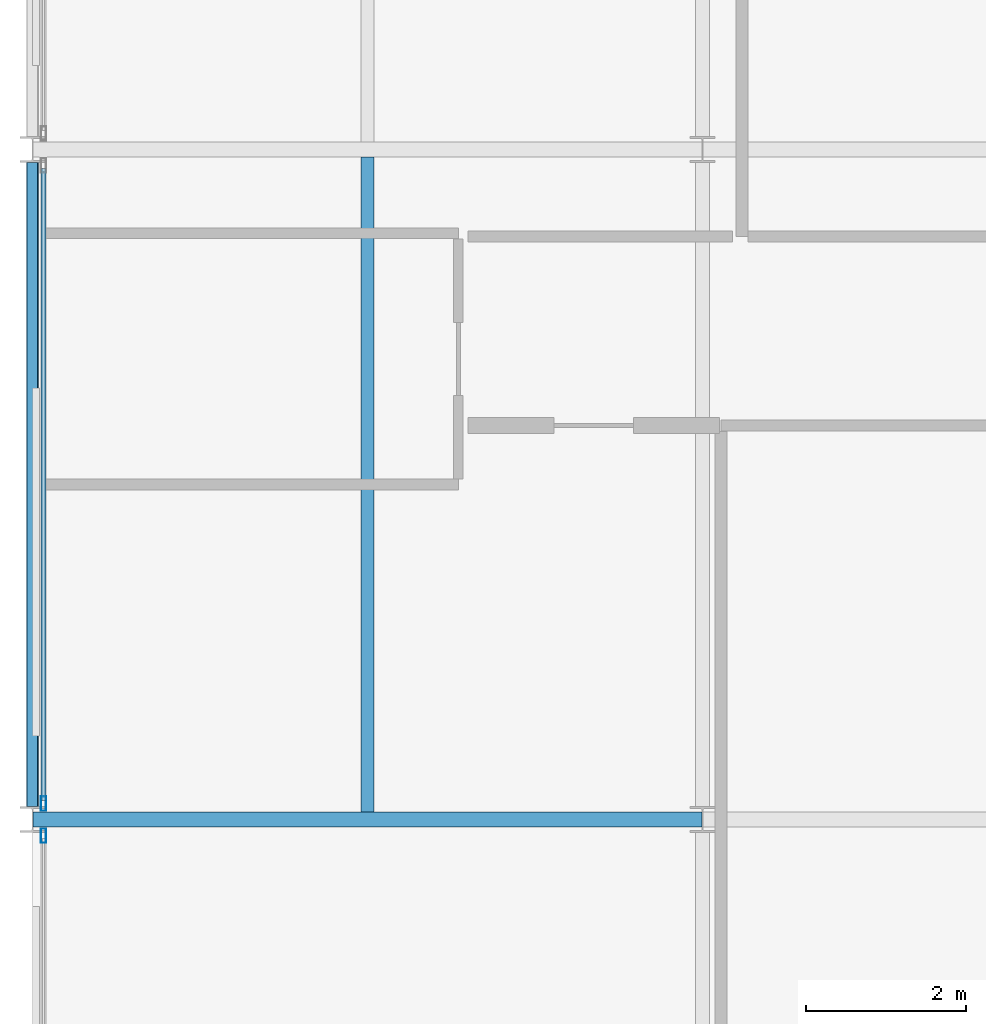
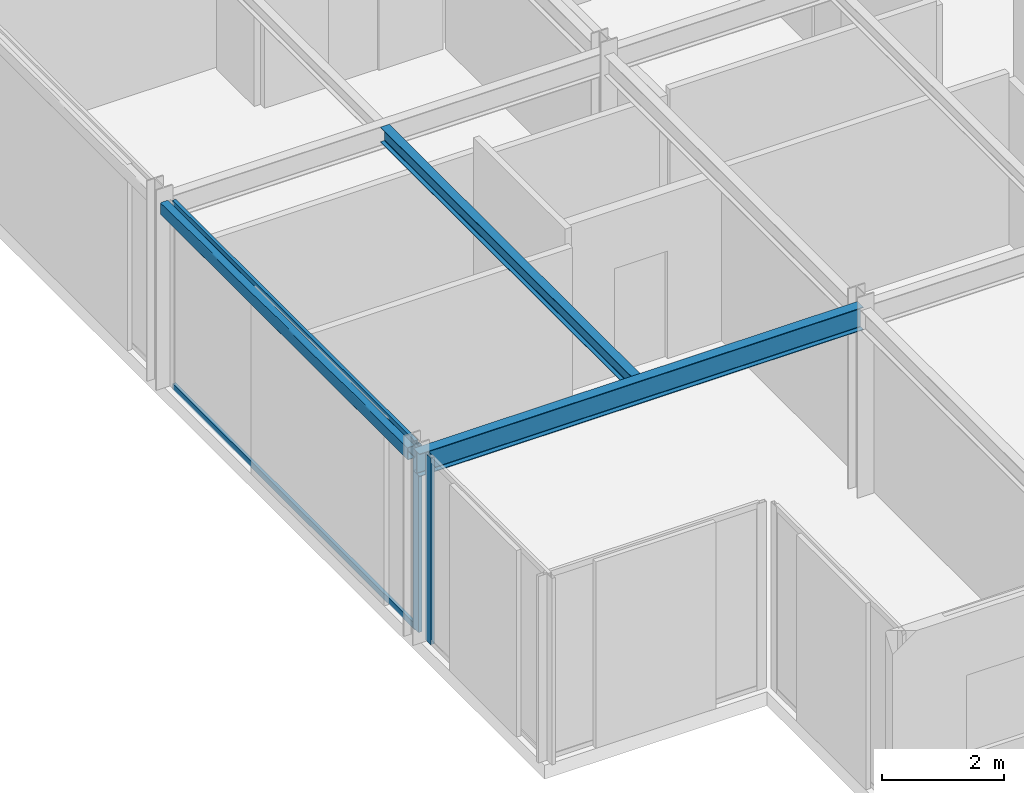
# One storey, part 5 of 24: 4 members, 3 beams, 2 elements without a shape of their own.
"""IFC4 building model written with IfcOpenShell, lengths in metres."""

import ifcopenshell
import ifcopenshell.guid

model = None  # the IFC model being written
_history = None  # IfcOwnerHistory: only IFC2X3 demands one
_inside = {}  # id of a spatial element -> (the spatial element, [elements in it])
_under = {}  # id of a project, library or spatial element -> (it, [spatial elements below it])
_declared = {}  # id of a project -> (the project, [libraries it declares])
_typed = {}  # id of a type object -> (the type object, [elements of that type])
_made_of = {}  # id of a material, layer set ... -> (it, [elements and type objects made of it])


def new_model(schema):
    """Start an empty IFC model of exactly this schema.

    Asked for "IFC4X3", IfcOpenShell would pick the latest addendum, in which some entities
    have other attributes; the version numbers below select the first issue.
    IFC2X3 requires an IfcOwnerHistory on every rooted entity: one is made here for all.
    """
    global model, _history
    if schema == "IFC4X3":
        model = ifcopenshell.file(schema_version=(4, 3, 0, 0))
    else:
        model = ifcopenshell.file(schema=schema)
    _inside.clear()
    _under.clear()
    _declared.clear()
    _typed.clear()
    _made_of.clear()
    _history = None
    if model.schema == "IFC2X3":
        org = make("IfcOrganization", Name="unknown")
        user = make(
            "IfcPersonAndOrganization",
            ThePerson=make("IfcPerson", FamilyName="unknown"),
            TheOrganization=org,
        )
        app = make(
            "IfcApplication",
            ApplicationDeveloper=org,
            Version="unknown",
            ApplicationFullName="unknown",
            ApplicationIdentifier="unknown",
        )
        _history = make(
            "IfcOwnerHistory",
            OwningUser=user,
            OwningApplication=app,
            ChangeAction="ADDED",
            CreationDate=0,
        )
    return model


def make(cls, **values):
    """One entity of the class cls with the attributes given. An attribute that is None is left unset."""
    return model.create_entity(
        cls, **{name: value for name, value in values.items() if value is not None}
    )


def rooted(cls, **values):
    """An entity with a GlobalId (a new one), such as an element, a storey or a relation."""
    return make(cls, GlobalId=ifcopenshell.guid.new(), OwnerHistory=_history, **values)


def si_unit(unit_type, name, prefix=None):
    """IfcSIUnit, for example si_unit("LENGTHUNIT", "METRE", prefix="MILLI")."""
    return make("IfcSIUnit", UnitType=unit_type, Prefix=prefix, Name=name)


def assignment(units):
    """IfcUnitAssignment: the units of a project."""
    return None if units is None else make("IfcUnitAssignment", Units=units)


def point(xyz):
    """IfcCartesianPoint."""
    return None if xyz is None else make("IfcCartesianPoint", Coordinates=xyz)


def direction(xyz):
    """IfcDirection."""
    return None if xyz is None else make("IfcDirection", DirectionRatios=xyz)


def frame(location, z_axis=None, x_axis=None):
    """IfcAxis2Placement3D, a coordinate frame: its origin and axes. An axis left out is left unset."""
    return make(
        "IfcAxis2Placement3D",
        Location=point(location),
        Axis=direction(z_axis),
        RefDirection=direction(x_axis),
    )


def frame_2d(location, x_axis=None):
    """IfcAxis2Placement2D, a coordinate frame in the plane: its origin and x axis."""
    return make(
        "IfcAxis2Placement2D", Location=point(location), RefDirection=direction(x_axis)
    )


def origin():
    """The frame at (0, 0, 0) with its axes left unset."""
    return frame((0.0, 0.0, 0.0))


def origin_2d():
    """The frame at (0, 0) in the plane with its x axis left unset."""
    return frame_2d((0.0, 0.0))


def place(relative_to, where):
    """IfcLocalPlacement: puts the frame where relative to a parent placement (None: the world)."""
    return make(
        "IfcLocalPlacement", PlacementRelTo=relative_to, RelativePlacement=where
    )


def context(
    kind, dimensions, precision=None, world=None, true_north=None, identifier=None
):
    """IfcGeometricRepresentationContext, for example the 3D "Model" context."""
    return make(
        "IfcGeometricRepresentationContext",
        ContextIdentifier=identifier,
        ContextType=kind,
        CoordinateSpaceDimension=dimensions,
        Precision=precision,
        WorldCoordinateSystem=world,
        TrueNorth=true_north,
    )


def subcontext(parent, identifier, kind, view, scale=None):
    """IfcGeometricRepresentationSubContext, for example "Body" below "Model"."""
    return make(
        "IfcGeometricRepresentationSubContext",
        ContextIdentifier=identifier,
        ContextType=kind,
        ParentContext=parent,
        TargetScale=scale,
        TargetView=view,
    )


def project(units=None, contexts=None):
    """IfcProject with its units and contexts."""
    return rooted(
        "IfcProject",
        Name="project",
        RepresentationContexts=contexts,
        UnitsInContext=assignment(units),
    )


def spatial(cls, under=None, at=None, **own):
    """A site, building, storey or space (cls), placed at a placement, below another one or the project."""
    s = rooted(cls, ObjectPlacement=at, **own)
    if under is not None:
        _under.setdefault(under.id(), (under, []))[1].append(s)
    return s


def profile(cls, at=None, kind="AREA", **sizes):
    """A parametric profile (cls). Its sizes go by their IFC names, for example OverallWidth=200.0."""
    return make(cls, ProfileType=kind, Position=at, **sizes)


def hollow_rectangle(**sizes):
    """IfcRectangleHollowProfileDef."""
    return profile("IfcRectangleHollowProfileDef", **sizes)


def i_section(**sizes):
    """IfcIShapeProfileDef."""
    return profile("IfcIShapeProfileDef", **sizes)


def extrude(swept, where, along, depth):
    """IfcExtrudedAreaSolid: the profile swept, set in the frame where, extruded along a direction by depth."""
    return make(
        "IfcExtrudedAreaSolid",
        SweptArea=swept,
        Position=where,
        ExtrudedDirection=direction(along),
        Depth=depth,
    )


def shape(context_of_items, identifier, shape_type, items):
    """IfcShapeRepresentation: the items that make up one representation, for example the "Body"."""
    return make(
        "IfcShapeRepresentation",
        ContextOfItems=context_of_items,
        RepresentationIdentifier=identifier,
        RepresentationType=shape_type,
        Items=items,
    )


def material(Name=None, Category=None):
    """IfcMaterial."""
    return make("IfcMaterial", Name=Name, Category=Category)


def layer(
    of_material, thickness, ventilated=None, Name=None, Category=None, Priority=None
):
    """IfcMaterialLayer: one layer of a wall or slab, of a material (None: an air gap)."""
    return make(
        "IfcMaterialLayer",
        Material=of_material,
        LayerThickness=thickness,
        IsVentilated=ventilated,
        Name=Name,
        Category=Category,
        Priority=Priority,
    )


def layer_set(layers, Name=None):
    """IfcMaterialLayerSet."""
    return make("IfcMaterialLayerSet", MaterialLayers=layers, LayerSetName=Name)


def material_profile(
    of_material, cross_section, Name=None, Category=None, Priority=None
):
    """IfcMaterialProfile: a cross section and its material."""
    return make(
        "IfcMaterialProfile",
        Name=Name,
        Material=of_material,
        Profile=cross_section,
        Priority=Priority,
        Category=Category,
    )


def profile_set(profiles, Name=None, composite=None):
    """IfcMaterialProfileSet."""
    return make(
        "IfcMaterialProfileSet",
        Name=Name,
        MaterialProfiles=profiles,
        CompositeProfile=composite,
    )


def made_of(thing, what):
    """Note that an element or type object is made of a material, layer set ...; save() writes the relation."""
    if what is not None:
        _made_of.setdefault(what.id(), (what, []))[1].append(thing)
    return thing


def type_object(cls, material=None, **own):
    """A type object (cls), such as IfcWallType, which elements share."""
    return made_of(rooted(cls, **own), material)


def element(
    cls,
    number,
    at=None,
    inside=None,
    cuts=None,
    type_object=None,
    material=None,
    context=None,
    identifier="Body",
    shape_type=None,
    held_by="IfcProductDefinitionShape",
    body=None,
    shapes=None,
    **own,
):
    """One element of the class cls, such as IfcWall. Its Tag is "e" and its number.

    at: its placement. inside: the storey or other place that contains it. cuts: it is an
    opening in that element (IfcRelVoidsElement). A single representation is given by context,
    identifier, shape_type and body (its items); several are given by shapes. held_by: the class
    of the entity that holds the representations. save() writes the other relations.
    """
    e = rooted(cls, Tag="e%d" % number, ObjectPlacement=at, **own)
    if body is not None:
        shapes = [shape(context, identifier, shape_type, body)]
    if shapes is not None:
        e.Representation = make(held_by, Representations=shapes)
    if inside is not None:
        _inside.setdefault(inside.id(), (inside, []))[1].append(e)
    if cuts is not None:
        rooted(
            "IfcRelVoidsElement", RelatingBuildingElement=cuts, RelatedOpeningElement=e
        )
    if type_object is not None:
        _typed.setdefault(type_object.id(), (type_object, []))[1].append(e)
    return made_of(e, material)


def aggregate(whole, parts):
    """IfcRelAggregates: a whole, such as a stair, and the parts it consists of."""
    return rooted("IfcRelAggregates", RelatingObject=whole, RelatedObjects=parts)


def save(model, path):
    """Write the relations noted so far, then the file.

    IfcRelAggregates (storeys below a building ...), IfcRelContainedInSpatialStructure (elements
    in a storey), IfcRelDefinesByType, IfcRelAssociatesMaterial and IfcRelDeclares: one each for
    every whole, place, type object, material and project.
    """
    for whole, parts in _under.values():
        aggregate(whole, parts)
    for where, things in _inside.values():
        rooted(
            "IfcRelContainedInSpatialStructure",
            RelatedElements=things,
            RelatingStructure=where,
        )
    for kind, things in _typed.values():
        rooted("IfcRelDefinesByType", RelatedObjects=things, RelatingType=kind)
    for what, things in _made_of.values():
        rooted("IfcRelAssociatesMaterial", RelatedObjects=things, RelatingMaterial=what)
    for by, libraries in _declared.values():
        rooted("IfcRelDeclares", RelatingContext=by, RelatedDefinitions=libraries)
    model.write(path)


model = new_model("IFC4")

# Units and contexts
model_context = context("Model", 3, precision=1e-05, world=origin(), true_north=direction((0.0, 1.0)))
body_context = subcontext(model_context, "Body", "Model", "MODEL_VIEW")
ifc_project = project(units=[si_unit("LENGTHUNIT", "METRE"), si_unit("AREAUNIT", "SQUARE_METRE"), si_unit("VOLUMEUNIT", "CUBIC_METRE"), si_unit("PLANEANGLEUNIT", "RADIAN"), si_unit("MASSUNIT", "GRAM", prefix="KILO")], contexts=[model_context])

# Site, building, storey
site_placement = place(None, origin())
site = spatial("IfcSite", under=ifc_project, at=site_placement, CompositionType="ELEMENT")
building_placement = place(site_placement, origin())
building = spatial("IfcBuilding", under=site, at=building_placement, Name="Nerrivon Quay Data Exchange", CompositionType="ELEMENT")
storey_placement = place(building_placement, frame((0.0, 0.0, 306.199951171875)))
storey = spatial("IfcBuildingStorey", under=building, at=storey_placement, Name="L73", CompositionType="ELEMENT", Elevation=306.199951171875)

# Beams
ifc_material_1 = material(Name="Steel Grade 350", Category="steel")
ifc_material_profile_1 = material_profile(ifc_material_1, i_section(OverallWidth=0.18994140625, OverallDepth=0.4541015625, WebThickness=0.008544921875, FlangeThickness=0.0126953125, FilletRadius=0.011474609375, at=origin_2d()), Name="460UB67.1")
ifc_profile_set_1 = profile_set([ifc_material_profile_1], Name="Steel Grade 350")
beam_type_1 = type_object("IfcBeamType", Name="BM-G6-460UB67", PredefinedType="BEAM", material=ifc_profile_set_1)
beam_1_placement = place(storey_placement, frame((0.0078125, 8.39990234375, 3.498046875), z_axis=(1.0, 0.0, 0.0), x_axis=(0.0, 1.0, 0.0)))
element("IfcBeam", 1, at=beam_1_placement, inside=storey, type_object=beam_type_1, Name="L73 EW Girder Y=8.4 (0.0..8.4)", PredefinedType="BEAM", context=body_context, shape_type="SweptSolid", body=[
    extrude(i_section(OverallWidth=0.18994140625, OverallDepth=0.4541015625, WebThickness=0.008544921875, FlangeThickness=0.0126953125, FilletRadius=0.011474609375, at=origin_2d()), origin(), (0.0, 0.0, 1.0), 8.38427734375),
])
ifc_material_profile_2 = material_profile(ifc_material_1, i_section(OverallWidth=0.1650390625, OverallDepth=0.303955078125, WebThickness=0.006103515625, FlangeThickness=0.01025390625, FilletRadius=0.011474609375, at=origin_2d()), Name="310UB40.4")
ifc_profile_set_2 = profile_set([ifc_material_profile_2], Name="Steel Grade 350")
beam_type_2 = type_object("IfcBeamType", Name="BM-J6-310UB40", PredefinedType="JOIST", material=ifc_profile_set_2)
beam_2_placement = place(storey_placement, frame((4.199951171875, 8.4951171875, 3.572998046875), z_axis=(0.0, 1.0, 0.0), x_axis=(-1.0, 0.0, 0.0)))
element("IfcBeam", 2, at=beam_2_placement, inside=storey, type_object=beam_type_2, Name="L73 Secondary Joist X=4.2 (8.4..16.8)", PredefinedType="JOIST", context=body_context, shape_type="SweptSolid", body=[
    extrude(i_section(OverallWidth=0.1650390625, OverallDepth=0.303955078125, WebThickness=0.006103515625, FlangeThickness=0.01025390625, FilletRadius=0.011474609375, at=origin_2d()), origin(), (0.0, 0.0, 1.0), 8.2099609375),
])
ifc_material_2 = material(Name="Steel Grade C350L0 (350 MPa)", Category="steel")
ifc_material_profile_3 = material_profile(ifc_material_2, hollow_rectangle(XDim=0.14990234375, YDim=0.25, WallThickness=0.009033203125, InnerFilletRadius=0.013427734375, OuterFilletRadius=0.0224609375, at=origin_2d()), Name="250x150x9.0RHS")
ifc_profile_set_3 = profile_set([ifc_material_profile_3], Name="Steel Grade C350L0 (350 MPa)")
beam_type_3 = type_object("IfcBeamType", Name="BM-SP4-250x150RHS", PredefinedType="SPANDREL", material=ifc_profile_set_3)
beam_3_placement = place(storey_placement, frame((0.0, 8.5634765625, 3.60009765625), z_axis=(0.0, 1.0, 0.0), x_axis=(-1.0, 0.0, 0.0)))
element("IfcBeam", 3, at=beam_3_placement, inside=storey, type_object=beam_type_3, Name="L73 NS Girder X=0.0 (8.4..16.8)", PredefinedType="SPANDREL", context=body_context, shape_type="SweptSolid", body=[
    extrude(hollow_rectangle(XDim=0.14990234375, YDim=0.25, WallThickness=0.009033203125, InnerFilletRadius=0.013427734375, OuterFilletRadius=0.0224609375, at=origin_2d()), origin(), (0.0, 0.0, 1.0), 8.072998046875),
])

# Curtain wall, member
ifc_material_3 = material(Name="Anodised aluminium 6063-T6", Category="aluminium")
ifc_layer = layer(ifc_material_3, 0.195068359375)
ifc_layer_set = layer_set([ifc_layer], Name="Anodised aluminium 6063-T6")
curtain_wall_type = type_object("IfcCurtainWallType", Name="CW-SYS-06", PredefinedType="NOTDEFINED", material=ifc_layer_set)
curtain_wall_1_placement = place(storey_placement, origin())
curtain_wall_1 = element("IfcCurtainWall", 4, at=curtain_wall_1_placement, inside=storey, type_object=curtain_wall_type, Name="L73 Unitised Curtain Wall 8", PredefinedType="NOTDEFINED")
ifc_material_profile_4 = material_profile(ifc_material_3, hollow_rectangle(XDim=0.06494140625, YDim=0.179931640625, WallThickness=0.00341796875, at=origin_2d()), Name="ALU-MULL-180x65")
ifc_profile_set_4 = profile_set([ifc_material_profile_4], Name="Anodised aluminium 6063-T6")
member_type_1 = type_object("IfcMemberType", Name="CWM-180x65", PredefinedType="MULLION", material=ifc_profile_set_4)
member_1_placement = place(storey_placement, frame((0.139892578125, 8.198974609375, 0.0), z_axis=(0.0, 0.0, 1.0), x_axis=(-1.0, 0.0, 0.0)))
member_1 = element("IfcMember", 5, at=member_1_placement, type_object=member_type_1, Name="CW06 mullion 2", PredefinedType="MULLION", context=body_context, shape_type="SweptSolid", body=[
    extrude(hollow_rectangle(XDim=0.06494140625, YDim=0.179931640625, WallThickness=0.00341796875, at=origin_2d()), origin(), (0.0, 0.0, 1.0), 3.72509765625),
])
aggregate(curtain_wall_1, [member_1])

# Curtain wall, members
curtain_wall_2_placement = place(storey_placement, origin())
curtain_wall_2 = element("IfcCurtainWall", 6, at=curtain_wall_2_placement, inside=storey, type_object=curtain_wall_type, Name="L73 Unitised Curtain Wall 9", PredefinedType="NOTDEFINED")
member_2_placement = place(storey_placement, frame((0.139892578125, 8.60107421875, 0.0), z_axis=(0.0, 0.0, 1.0), x_axis=(-1.0, 0.0, 0.0)))
member_2 = element("IfcMember", 7, at=member_2_placement, type_object=member_type_1, Name="CW06 mullion 1", PredefinedType="MULLION", context=body_context, shape_type="SweptSolid", body=[
    extrude(hollow_rectangle(XDim=0.06494140625, YDim=0.179931640625, WallThickness=0.00341796875, at=origin_2d()), origin(), (0.0, 0.0, 1.0), 3.72509765625),
])
ifc_material_profile_5 = material_profile(ifc_material_3, hollow_rectangle(XDim=0.06005859375, YDim=0.1201171875, WallThickness=0.003173828125, at=origin_2d()), Name="ALU-TRAN-120x60")
ifc_profile_set_5 = profile_set([ifc_material_profile_5], Name="Anodised aluminium 6063-T6")
member_type_2 = type_object("IfcMemberType", Name="CWT-120x60", PredefinedType="USERDEFINED", material=ifc_profile_set_5)
member_3_placement = place(storey_placement, frame((0.139892578125, 8.638427734375, 0.032470703125), z_axis=(0.0, 1.0, 0.0), x_axis=(-1.0, 0.0, 0.0)))
member_3 = element("IfcMember", 8, at=member_3_placement, type_object=member_type_2, Name="CW06 transom 1.1", ObjectType="TRANSOM", PredefinedType="USERDEFINED", context=body_context, shape_type="SweptSolid", body=[
    extrude(hollow_rectangle(XDim=0.06005859375, YDim=0.1201171875, WallThickness=0.003173828125, at=origin_2d()), origin(), (0.0, 0.0, 1.0), 7.923095703125),
])
member_4_placement = place(storey_placement, frame((0.139892578125, 8.638427734375, 3.692626953125), z_axis=(0.0, 1.0, 0.0), x_axis=(-1.0, 0.0, 0.0)))
member_4 = element("IfcMember", 9, at=member_4_placement, type_object=member_type_2, Name="CW06 transom 1.2", ObjectType="TRANSOM", PredefinedType="USERDEFINED", context=body_context, shape_type="SweptSolid", body=[
    extrude(hollow_rectangle(XDim=0.06005859375, YDim=0.1201171875, WallThickness=0.003173828125, at=origin_2d()), origin(), (0.0, 0.0, 1.0), 7.923095703125),
])
aggregate(curtain_wall_2, [member_2, member_3, member_4])

save(model, "model.ifc")
